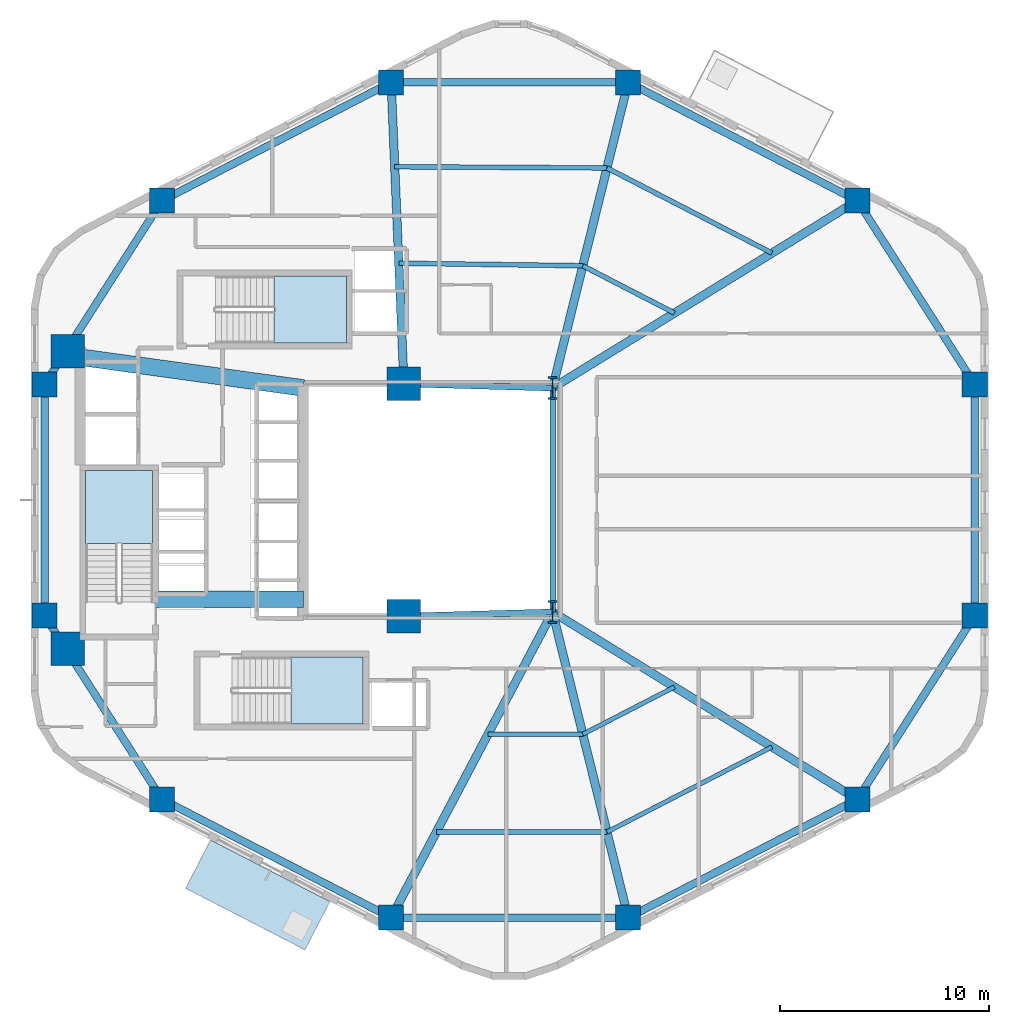
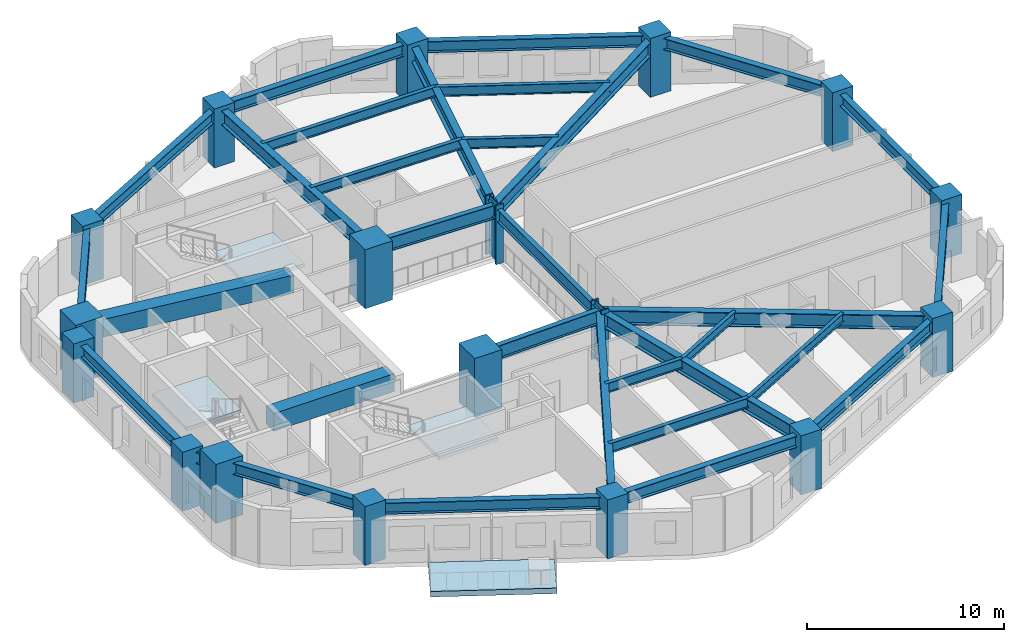
# One storey, part 1 of 8: 31 beams, 18 columns, 4 slabs, 3 elements without a shape of their own.
"""IFC4 building model written with IfcOpenShell, lengths in metres."""

from ifc_helpers import new_model, si_unit, direction, frame, origin, origin_2d, place, context, subcontext, project, spatial, polyline, rectangle, i_section, outline, extrude, material, layer, layer_set, material_profile, profile_set, type_object, element, aggregate, save


model = new_model("IFC4")

# Units and contexts
model_context = context("Model", 3, precision=1e-05, world=origin(), true_north=direction((0.0, 1.0)))
body_context = subcontext(model_context, "Body", "Model", "MODEL_VIEW")
ifc_project = project(units=[si_unit("LENGTHUNIT", "METRE"), si_unit("AREAUNIT", "SQUARE_METRE"), si_unit("VOLUMEUNIT", "CUBIC_METRE"), si_unit("PLANEANGLEUNIT", "RADIAN"), si_unit("MASSUNIT", "GRAM", prefix="KILO"), si_unit("THERMODYNAMICTEMPERATUREUNIT", "KELVIN"), si_unit("POWERUNIT", "WATT")], contexts=[model_context])

# Site, building, storey
site_placement = place(None, origin())
site = spatial("IfcSite", under=ifc_project, at=site_placement, CompositionType="ELEMENT")
building_placement = place(site_placement, origin())
building = spatial("IfcBuilding", under=site, at=building_placement, Name="Skarre Station Tower", CompositionType="ELEMENT")
storey_placement = place(building_placement, frame((0.0, 0.0, 81.75)))
storey = spatial("IfcBuildingStorey", under=building, at=storey_placement, Name="L21", CompositionType="ELEMENT", Elevation=81.75)

# Columns
ifc_material_1 = material(Name="Concrete C60/75", Category="concrete")
ifc_material_profile_1 = material_profile(ifc_material_1, rectangle(XDim=1.199951171875, YDim=1.199951171875, at=origin_2d()), Name="Concrete C60/75")
ifc_profile_set_1 = profile_set([ifc_material_profile_1], Name="Concrete C60/75")
column_type_1 = type_object("IfcColumnType", Name="RC Structural Column RC-COL-1200X1200", PredefinedType="COLUMN", material=ifc_profile_set_1)
for number, where, z_axis, x_axis, name in (
    (1, (54.007080078125, 38.298095703125, 0.0), (0.0, 0.0, 1.0), (1.0, 0.0, 0.0), "L21 Zone 1 Perimeter Column F0C1"),
    (2, (43.06005859375, 43.947021484375, 0.0), (0.0, 0.0, 1.0), (1.0, 0.0, 0.0), "L21 Zone 1 Perimeter Column F0C2"),
    (3, (31.739990234375, 43.947021484375, 0.0), (0.0, 0.0, 1.0), (1.0, 0.0, 0.0), "L21 Zone 1 Perimeter Column F1C1"),
    (4, (20.79296875, 38.298095703125, 0.0), (0.0, 0.0, 1.0), (1.0, 0.0, 0.0), "L21 Zone 1 Perimeter Column F1C2"),
    (5, (15.18701171875, 29.52099609375, 0.0), (0.0, 0.0, 1.0), (1.0, 0.0, 0.0), "L21 Zone 1 Perimeter Column F2C1"),
    (6, (15.18701171875, 18.47900390625, 0.0), (0.0, 0.0, 1.0), (1.0, 0.0, 0.0), "L21 Zone 1 Perimeter Column F2C2"),
    (7, (20.79296875, 9.701904296875, 0.0), (0.0, 0.0, 1.0), (1.0, 0.0, 0.0), "L21 Zone 1 Perimeter Column F3C1"),
    (8, (31.739990234375, 4.052978515625, 0.0), (0.0, 0.0, 1.0), (1.0, 0.0, 0.0), "L21 Zone 1 Perimeter Column F3C2"),
    (9, (43.06005859375, 4.052978515625, 0.0), (0.0, 0.0, 1.0), (1.0, 0.0, 0.0), "L21 Zone 1 Perimeter Column F4C1"),
    (10, (54.007080078125, 9.701904296875, 0.0), (0.0, 0.0, 1.0), (1.0, 0.0, 0.0), "L21 Zone 1 Perimeter Column F4C2"),
    (11, (59.613037109375, 18.47900390625, 0.0), (0.0, 0.0, 1.0), (1.0, 0.0, 0.0), "L21 Zone 1 Perimeter Column F5C1"),
    (12, (59.613037109375, 29.52099609375, 0.0), (0.0, 0.0, 1.0), (1.0, 0.0, 0.0), "L21 Zone 1 Perimeter Column F5C2"),
):
    element("IfcColumn", number, at=place(storey_placement, frame(where, z_axis=z_axis, x_axis=x_axis)), inside=storey, type_object=column_type_1, Name=name, PredefinedType="COLUMN", context=body_context, shape_type="SweptSolid", body=[
        extrude(rectangle(XDim=1.199951171875, YDim=1.199951171875, at=origin_2d()), origin(), (0.0, 0.0, 1.0), 3.64990234375),
    ])
ifc_material_2 = material(Name="Concrete C70/85", Category="concrete")
ifc_material_profile_2 = material_profile(ifc_material_2, rectangle(XDim=1.60009765625, YDim=1.60009765625, at=origin_2d()), Name="Concrete C70/85")
ifc_profile_set_2 = profile_set([ifc_material_profile_2], Name="Concrete C70/85")
column_type_2 = type_object("IfcColumnType", Name="RC Structural Column RC-COL-1600X1600", PredefinedType="COLUMN", material=ifc_profile_set_2)
for number, where, z_axis, x_axis, name in (
    (13, (16.300048828125, 16.89990234375, 0.0), (0.0, 0.0, 1.0), (1.0, 0.0, 0.0), "L21 Core Column CC-SW"),
    (14, (16.300048828125, 31.10009765625, 0.0), (0.0, 0.0, 1.0), (1.0, 0.0, 0.0), "L21 Core Column CC-NW"),
    (15, (32.35009765625, 18.449951171875, 0.0), (0.0, 0.0, 1.0), (1.0, 0.0, 0.0), "L21 Core Column CC-SE"),
    (16, (32.35009765625, 29.550048828125, 0.0), (0.0, 0.0, 1.0), (1.0, 0.0, 0.0), "L21 Core Column CC-NE"),
):
    element("IfcColumn", number, at=place(storey_placement, frame(where, z_axis=z_axis, x_axis=x_axis)), inside=storey, type_object=column_type_2, Name=name, PredefinedType="COLUMN", context=body_context, shape_type="SweptSolid", body=[
        extrude(rectangle(XDim=1.60009765625, YDim=1.60009765625, at=origin_2d()), origin(), (0.0, 0.0, 1.0), 3.64990234375),
    ])
ifc_material_3 = material(Name="Steel ASTM A913 Grade 65", Category="steel")
ifc_material_profile_3 = material_profile(ifc_material_3, i_section(OverallWidth=0.424072265625, OverallDepth=1.092041015625, WebThickness=0.044921875, FlangeThickness=0.08203125, at=origin_2d()), Name="Steel ASTM A913 Grade 65")
ifc_profile_set_3 = profile_set([ifc_material_profile_3], Name="Steel ASTM A913 Grade 65")
column_type_3 = type_object("IfcColumnType", Name="Steel Column W40X593", PredefinedType="COLUMN", material=ifc_profile_set_3)
for number, where, z_axis, x_axis, name in (
    (17, (39.449951171875, 18.64990234375, 0.0), (0.0, 0.0, 1.0), (1.0, 0.0, 0.0), "L21 Atrium Spine Column AC-SE"),
    (18, (39.449951171875, 29.35009765625, 0.0), (0.0, 0.0, 1.0), (1.0, 0.0, 0.0), "L21 Atrium Spine Column AC-NE"),
):
    element("IfcColumn", number, at=place(storey_placement, frame(where, z_axis=z_axis, x_axis=x_axis)), inside=storey, type_object=column_type_3, Name=name, PredefinedType="COLUMN", context=body_context, shape_type="SweptSolid", body=[
        extrude(i_section(OverallWidth=0.424072265625, OverallDepth=1.092041015625, WebThickness=0.044921875, FlangeThickness=0.08203125, at=origin_2d()), origin(), (0.0, 0.0, 1.0), 3.64990234375),
    ])

# Beams
ifc_material_profile_4 = material_profile(ifc_material_2, rectangle(XDim=0.800048828125, YDim=1.10009765625, at=origin_2d()), Name="Concrete C70/85")
ifc_profile_set_4 = profile_set([ifc_material_profile_4], Name="Concrete C70/85")
beam_type_1 = type_object("IfcBeamType", Name="RC Core Coupling Lintel 800x1100", PredefinedType="LINTEL", material=ifc_profile_set_4)
beam_1_placement = place(storey_placement, frame((20.489990234375, 19.260009765625, 2.840087890625), z_axis=(1.0, 0.0, 0.0), x_axis=(0.0, 1.0, 0.0)))
element("IfcBeam", 19, at=beam_1_placement, inside=storey, type_object=beam_type_1, Name="L21 South Core Coupling Lintel", PredefinedType="LINTEL", context=body_context, shape_type="SweptSolid", body=[
    extrude(rectangle(XDim=0.800048828125, YDim=1.10009765625, at=origin_2d()), origin(), (0.0, 0.0, 1.0), 7.06005859375),
])
beam_2_placement = place(storey_placement, frame((17.050048828125, 30.800048828125, 2.840087890625), z_axis=(0.990599723633, -0.136792498109, 0.0), x_axis=(0.136792498109, 0.990599723633, 0.0)))
element("IfcBeam", 20, at=beam_2_placement, inside=storey, type_object=beam_type_1, Name="L21 North Core Coupling Lintel", PredefinedType="LINTEL", context=body_context, shape_type="SweptSolid", body=[
    extrude(rectangle(XDim=0.800048828125, YDim=1.10009765625, at=origin_2d()), origin(), (0.0, 0.0, 1.0), 10.599609375),
])
ifc_material_4 = material(Name="Steel ASTM A992 Grade 50", Category="steel")
ifc_material_profile_5 = material_profile(ifc_material_4, i_section(OverallWidth=0.26806640625, OverallDepth=0.77001953125, WebThickness=0.01611328125, FlangeThickness=0.02490234375, at=origin_2d()), Name="Steel ASTM A992 Grade 50")
ifc_profile_set_5 = profile_set([ifc_material_profile_5], Name="Steel ASTM A992 Grade 50")
beam_type_2 = type_object("IfcBeamType", Name="Steel Beam W30X132", PredefinedType="BEAM", material=ifc_profile_set_5)
beam_3_placement = place(storey_placement, frame((39.449951171875, 18.64990234375, 3.0048828125), z_axis=(0.0, 1.0, 0.0), x_axis=(-1.0, 0.0, 0.0)))
element("IfcBeam", 21, at=beam_3_placement, inside=storey, type_object=beam_type_2, Name="L21 Atrium East Edge Girder", PredefinedType="BEAM", context=body_context, shape_type="SweptSolid", body=[
    extrude(i_section(OverallWidth=0.26806640625, OverallDepth=0.77001953125, WebThickness=0.01611328125, FlangeThickness=0.02490234375, at=origin_2d()), origin(), (0.0, 0.0, 1.0), 10.7001953125),
])
ifc_material_profile_6 = material_profile(ifc_material_4, i_section(OverallWidth=0.2919921875, OverallDepth=0.85888671875, WebThickness=0.01708984375, FlangeThickness=0.031005859375, at=origin_2d()), Name="Steel ASTM A992 Grade 50")
ifc_profile_set_6 = profile_set([ifc_material_profile_6], Name="Steel ASTM A992 Grade 50")
beam_type_3 = type_object("IfcBeamType", Name="Steel Beam W33X169", PredefinedType="BEAM", material=ifc_profile_set_6)
for number, where, z_axis, x_axis, name in (
    (22, (32.35009765625, 18.449951171875, 2.9599609375), (0.999603666405, 0.028151556095, 0.0), (-0.028151556095, 0.999603666405, 0.0), "L21 Atrium South Edge Girder"),
    (23, (32.35009765625, 29.550048828125, 2.9599609375), (0.999603666405, -0.028151556095, 0.0), (0.028151556095, 0.999603666405, 0.0), "L21 Atrium North Edge Girder"),
):
    element("IfcBeam", number, at=place(storey_placement, frame(where, z_axis=z_axis, x_axis=x_axis)), inside=storey, type_object=beam_type_3, Name=name, PredefinedType="BEAM", context=body_context, shape_type="SweptSolid", body=[
        extrude(i_section(OverallWidth=0.2919921875, OverallDepth=0.85888671875, WebThickness=0.01708984375, FlangeThickness=0.031005859375, at=origin_2d()), origin(), (0.0, 0.0, 1.0), 7.102783203125),
    ])
ifc_material_profile_7 = material_profile(ifc_material_4, i_section(OverallWidth=0.40087890625, OverallDepth=0.876953125, WebThickness=0.02197265625, FlangeThickness=0.0400390625, at=origin_2d()), Name="Steel ASTM A992 Grade 50")
ifc_profile_set_7 = profile_set([ifc_material_profile_7], Name="Steel ASTM A992 Grade 50")
beam_type_4 = type_object("IfcBeamType", Name="Steel Beam W33X263", PredefinedType="BEAM", material=ifc_profile_set_7)
beam_4_placement = place(storey_placement, frame((39.449951171875, 29.35009765625, 2.950927734375), z_axis=(0.851925565957, 0.523662897358, 0.0), x_axis=(-0.523662897358, 0.851925565957, 0.0)))
element("IfcBeam", 24, at=beam_4_placement, inside=storey, type_object=beam_type_4, Name="L21 Radial Floor Girder F0C1", PredefinedType="BEAM", context=body_context, shape_type="SweptSolid", body=[
    extrude(i_section(OverallWidth=0.40087890625, OverallDepth=0.876953125, WebThickness=0.02197265625, FlangeThickness=0.0400390625, at=origin_2d()), origin(), (0.0, 0.0, 1.0), 17.08740234375),
])
beam_5_placement = place(storey_placement, frame((39.449951171875, 29.35009765625, 2.950927734375), z_axis=(0.240086037639, 0.9707516132, 0.0), x_axis=(-0.9707516132, 0.240086037639, 0.0)))
element("IfcBeam", 25, at=beam_5_placement, inside=storey, type_object=beam_type_4, Name="L21 Radial Floor Girder F0C2", PredefinedType="BEAM", context=body_context, shape_type="SweptSolid", body=[
    extrude(i_section(OverallWidth=0.40087890625, OverallDepth=0.876953125, WebThickness=0.02197265625, FlangeThickness=0.0400390625, at=origin_2d()), origin(), (0.0, 0.0, 1.0), 15.03662109375),
])
beam_6_placement = place(storey_placement, frame((32.35009765625, 29.550048828125, 2.950927734375), z_axis=(-0.042339479433, 0.999103282189, 0.0), x_axis=(-0.999103282189, -0.042339479433, 0.0)))
element("IfcBeam", 26, at=beam_6_placement, inside=storey, type_object=beam_type_4, Name="L21 Radial Floor Girder F1C1", PredefinedType="BEAM", context=body_context, shape_type="SweptSolid", body=[
    extrude(i_section(OverallWidth=0.40087890625, OverallDepth=0.876953125, WebThickness=0.02197265625, FlangeThickness=0.0400390625, at=origin_2d()), origin(), (0.0, 0.0, 1.0), 14.409912109375),
])
beam_7_placement = place(storey_placement, frame((39.449951171875, 18.64990234375, 2.950927734375), z_axis=(-0.467044240884, -0.884233949279, 0.0), x_axis=(0.884233949279, -0.467044240884, 0.0)))
element("IfcBeam", 27, at=beam_7_placement, inside=storey, type_object=beam_type_4, Name="L21 Radial Floor Girder F3C2", PredefinedType="BEAM", context=body_context, shape_type="SweptSolid", body=[
    extrude(i_section(OverallWidth=0.40087890625, OverallDepth=0.876953125, WebThickness=0.02197265625, FlangeThickness=0.0400390625, at=origin_2d()), origin(), (0.0, 0.0, 1.0), 16.508056640625),
])
beam_8_placement = place(storey_placement, frame((39.449951171875, 18.64990234375, 2.950927734375), z_axis=(0.240086037639, -0.9707516132, 0.0), x_axis=(0.9707516132, 0.240086037639, 0.0)))
element("IfcBeam", 28, at=beam_8_placement, inside=storey, type_object=beam_type_4, Name="L21 Radial Floor Girder F4C1", PredefinedType="BEAM", context=body_context, shape_type="SweptSolid", body=[
    extrude(i_section(OverallWidth=0.40087890625, OverallDepth=0.876953125, WebThickness=0.02197265625, FlangeThickness=0.0400390625, at=origin_2d()), origin(), (0.0, 0.0, 1.0), 15.03662109375),
])
beam_9_placement = place(storey_placement, frame((39.449951171875, 18.64990234375, 2.950927734375), z_axis=(0.851925565957, -0.523662897358, 0.0), x_axis=(0.523662897358, 0.851925565957, 0.0)))
element("IfcBeam", 29, at=beam_9_placement, inside=storey, type_object=beam_type_4, Name="L21 Radial Floor Girder F4C2", PredefinedType="BEAM", context=body_context, shape_type="SweptSolid", body=[
    extrude(i_section(OverallWidth=0.40087890625, OverallDepth=0.876953125, WebThickness=0.02197265625, FlangeThickness=0.0400390625, at=origin_2d()), origin(), (0.0, 0.0, 1.0), 17.08740234375),
])
ifc_material_profile_8 = material_profile(ifc_material_4, i_section(OverallWidth=0.208984375, OverallDepth=0.532958984375, WebThickness=0.010009765625, FlangeThickness=0.01611328125, at=origin_2d()), Name="Steel ASTM A992 Grade 50")
ifc_profile_set_8 = profile_set([ifc_material_profile_8], Name="Steel ASTM A992 Grade 50")
beam_type_5 = type_object("IfcBeamType", Name="Steel Joist W21X62", PredefinedType="JOIST", material=ifc_profile_set_8)
beam_10_placement = place(storey_placement, frame((40.89404296875, 12.81103515625, 3.1240234375), z_axis=(0.888626519249, 0.458631561591, 0.0), x_axis=(-0.458631561591, 0.888626519249, 0.0)))
element("IfcBeam", 30, at=beam_10_placement, inside=storey, type_object=beam_type_5, Name="L21 Auxiliary Composite Joist 7", PredefinedType="JOIST", context=body_context, shape_type="SweptSolid", body=[
    extrude(i_section(OverallWidth=0.208984375, OverallDepth=0.532958984375, WebThickness=0.010009765625, FlangeThickness=0.01611328125, at=origin_2d()), origin(), (0.0, 0.0, 1.0), 4.927734375),
])
beam_11_placement = place(storey_placement, frame((42.049072265625, 8.139892578125, 3.1240234375), z_axis=(0.88866227096, 0.458562283853, 0.0), x_axis=(-0.458562283853, 0.88866227096, 0.0)))
element("IfcBeam", 31, at=beam_11_placement, inside=storey, type_object=beam_type_5, Name="L21 Auxiliary Composite Joist 8", PredefinedType="JOIST", context=body_context, shape_type="SweptSolid", body=[
    extrude(i_section(OverallWidth=0.208984375, OverallDepth=0.532958984375, WebThickness=0.010009765625, FlangeThickness=0.01611328125, at=origin_2d()), origin(), (0.0, 0.0, 1.0), 8.869384765625),
])
ifc_material_profile_9 = material_profile(ifc_material_4, i_section(OverallWidth=0.22802734375, OverallDepth=0.60791015625, WebThickness=0.010986328125, FlangeThickness=0.01708984375, at=origin_2d()), Name="Steel ASTM A992 Grade 50")
ifc_profile_set_9 = profile_set([ifc_material_profile_9], Name="Steel ASTM A992 Grade 50")
beam_type_6 = type_object("IfcBeamType", Name="Steel Joist W24X76", PredefinedType="JOIST", material=ifc_profile_set_9)
beam_12_placement = place(storey_placement, frame((45.27294921875, 32.928955078125, 3.0859375), z_axis=(-0.888626519249, 0.458631561591, 0.0), x_axis=(-0.458631561591, -0.888626519249, 0.0)))
element("IfcBeam", 32, at=beam_12_placement, inside=storey, type_object=beam_type_6, Name="L21 Secondary Floor Joist 1", PredefinedType="JOIST", context=body_context, shape_type="SweptSolid", body=[
    extrude(i_section(OverallWidth=0.22802734375, OverallDepth=0.60791015625, WebThickness=0.010986328125, FlangeThickness=0.01708984375, at=origin_2d()), origin(), (0.0, 0.0, 1.0), 4.927734375),
])
beam_13_placement = place(storey_placement, frame((49.930908203125, 35.79296875, 3.0859375), z_axis=(-0.88866227096, 0.458562283853, 0.0), x_axis=(-0.458562283853, -0.88866227096, 0.0)))
element("IfcBeam", 33, at=beam_13_placement, inside=storey, type_object=beam_type_6, Name="L21 Secondary Floor Joist 2", PredefinedType="JOIST", context=body_context, shape_type="SweptSolid", body=[
    extrude(i_section(OverallWidth=0.22802734375, OverallDepth=0.60791015625, WebThickness=0.010986328125, FlangeThickness=0.01708984375, at=origin_2d()), origin(), (0.0, 0.0, 1.0), 8.869384765625),
])
beam_14_placement = place(storey_placement, frame((40.89404296875, 35.18896484375, 3.0859375), z_axis=(-0.999906603441, 0.013666908792, 0.0), x_axis=(-0.013666908792, -0.999906603441, 0.0)))
element("IfcBeam", 34, at=beam_14_placement, inside=storey, type_object=beam_type_6, Name="L21 Secondary Floor Joist 3", PredefinedType="JOIST", context=body_context, shape_type="SweptSolid", body=[
    extrude(i_section(OverallWidth=0.22802734375, OverallDepth=0.60791015625, WebThickness=0.010986328125, FlangeThickness=0.01708984375, at=origin_2d()), origin(), (0.0, 0.0, 1.0), 8.788818359375),
])
beam_15_placement = place(storey_placement, frame((42.049072265625, 39.860107421875, 3.0859375), z_axis=(-0.999984794845, 0.005514533498, 0.0), x_axis=(-0.005514533498, -0.999984794845, 0.0)))
element("IfcBeam", 35, at=beam_15_placement, inside=storey, type_object=beam_type_6, Name="L21 Secondary Floor Joist 4", PredefinedType="JOIST", context=body_context, shape_type="SweptSolid", body=[
    extrude(i_section(OverallWidth=0.22802734375, OverallDepth=0.60791015625, WebThickness=0.010986328125, FlangeThickness=0.01708984375, at=origin_2d()), origin(), (0.0, 0.0, 1.0), 10.138427734375),
])
beam_16_placement = place(storey_placement, frame((36.365966796875, 12.81103515625, 3.0859375), z_axis=(1.0, 0.0, 0.0), x_axis=(0.0, 1.0, 0.0)))
element("IfcBeam", 36, at=beam_16_placement, inside=storey, type_object=beam_type_6, Name="L21 Secondary Floor Joist 5", PredefinedType="JOIST", context=body_context, shape_type="SweptSolid", body=[
    extrude(i_section(OverallWidth=0.22802734375, OverallDepth=0.60791015625, WebThickness=0.010986328125, FlangeThickness=0.01708984375, at=origin_2d()), origin(), (0.0, 0.0, 1.0), 4.528076171875),
])
beam_17_placement = place(storey_placement, frame((33.89892578125, 8.139892578125, 3.0859375), z_axis=(1.0, 0.0, 0.0), x_axis=(0.0, 1.0, 0.0)))
element("IfcBeam", 37, at=beam_17_placement, inside=storey, type_object=beam_type_6, Name="L21 Secondary Floor Joist 6", PredefinedType="JOIST", context=body_context, shape_type="SweptSolid", body=[
    extrude(i_section(OverallWidth=0.22802734375, OverallDepth=0.60791015625, WebThickness=0.010986328125, FlangeThickness=0.01708984375, at=origin_2d()), origin(), (0.0, 0.0, 1.0), 8.150146484375),
])
ifc_material_profile_10 = material_profile(ifc_material_4, i_section(OverallWidth=0.35791015625, OverallDepth=0.7060546875, WebThickness=0.01806640625, FlangeThickness=0.030029296875, at=origin_2d()), Name="Steel ASTM A992 Grade 50")
ifc_profile_set_10 = profile_set([ifc_material_profile_10], Name="Steel ASTM A992 Grade 50")
beam_type_7 = type_object("IfcBeamType", Name="Steel Spandrel W27X178", PredefinedType="SPANDREL", material=ifc_profile_set_10)
beam_18_placement = place(storey_placement, frame((54.007080078125, 38.298095703125, 3.037109375), z_axis=(-0.888658695823, 0.458569212158, 0.0), x_axis=(-0.458569212158, -0.888658695823, 0.0)))
element("IfcBeam", 38, at=beam_18_placement, inside=storey, type_object=beam_type_7, Name="L21 Facet Spandrel Beam 1", PredefinedType="SPANDREL", context=body_context, shape_type="SweptSolid", body=[
    extrude(i_section(OverallWidth=0.35791015625, OverallDepth=0.7060546875, WebThickness=0.01806640625, FlangeThickness=0.030029296875, at=origin_2d()), origin(), (0.0, 0.0, 1.0), 12.318603515625),
])
beam_19_placement = place(storey_placement, frame((43.06005859375, 43.947021484375, 3.037109375), z_axis=(-1.0, 0.0, 0.0), x_axis=(0.0, -1.0, 0.0)))
element("IfcBeam", 39, at=beam_19_placement, inside=storey, type_object=beam_type_7, Name="L21 Facet Spandrel Beam 2", PredefinedType="SPANDREL", context=body_context, shape_type="SweptSolid", body=[
    extrude(i_section(OverallWidth=0.35791015625, OverallDepth=0.7060546875, WebThickness=0.01806640625, FlangeThickness=0.030029296875, at=origin_2d()), origin(), (0.0, 0.0, 1.0), 11.320068359375),
])
beam_20_placement = place(storey_placement, frame((31.739990234375, 43.947021484375, 3.037109375), z_axis=(-0.888658695823, -0.458569212158, 0.0), x_axis=(0.458569212158, -0.888658695823, 0.0)))
element("IfcBeam", 40, at=beam_20_placement, inside=storey, type_object=beam_type_7, Name="L21 Facet Spandrel Beam 3", PredefinedType="SPANDREL", context=body_context, shape_type="SweptSolid", body=[
    extrude(i_section(OverallWidth=0.35791015625, OverallDepth=0.7060546875, WebThickness=0.01806640625, FlangeThickness=0.030029296875, at=origin_2d()), origin(), (0.0, 0.0, 1.0), 12.318603515625),
])
beam_21_placement = place(storey_placement, frame((20.79296875, 38.298095703125, 3.037109375), z_axis=(-0.538277829225, -0.842767452246, 0.0), x_axis=(0.842767452246, -0.538277829225, 0.0)))
element("IfcBeam", 41, at=beam_21_placement, inside=storey, type_object=beam_type_7, Name="L21 Facet Spandrel Beam 4", PredefinedType="SPANDREL", context=body_context, shape_type="SweptSolid", body=[
    extrude(i_section(OverallWidth=0.35791015625, OverallDepth=0.7060546875, WebThickness=0.01806640625, FlangeThickness=0.030029296875, at=origin_2d()), origin(), (0.0, 0.0, 1.0), 10.41455078125),
])
beam_22_placement = place(storey_placement, frame((15.18701171875, 29.52099609375, 3.037109375), z_axis=(0.0, -1.0, 0.0), x_axis=(1.0, 0.0, 0.0)))
element("IfcBeam", 42, at=beam_22_placement, inside=storey, type_object=beam_type_7, Name="L21 Facet Spandrel Beam 5", PredefinedType="SPANDREL", context=body_context, shape_type="SweptSolid", body=[
    extrude(i_section(OverallWidth=0.35791015625, OverallDepth=0.7060546875, WebThickness=0.01806640625, FlangeThickness=0.030029296875, at=origin_2d()), origin(), (0.0, 0.0, 1.0), 11.0419921875),
])
beam_23_placement = place(storey_placement, frame((15.18701171875, 18.47900390625, 3.037109375), z_axis=(0.538277829225, -0.842767452246, 0.0), x_axis=(0.842767452246, 0.538277829225, 0.0)))
element("IfcBeam", 43, at=beam_23_placement, inside=storey, type_object=beam_type_7, Name="L21 Facet Spandrel Beam 6", PredefinedType="SPANDREL", context=body_context, shape_type="SweptSolid", body=[
    extrude(i_section(OverallWidth=0.35791015625, OverallDepth=0.7060546875, WebThickness=0.01806640625, FlangeThickness=0.030029296875, at=origin_2d()), origin(), (0.0, 0.0, 1.0), 10.41455078125),
])
beam_24_placement = place(storey_placement, frame((20.79296875, 9.701904296875, 3.037109375), z_axis=(0.888658695823, -0.458569212158, 0.0), x_axis=(0.458569212158, 0.888658695823, 0.0)))
element("IfcBeam", 44, at=beam_24_placement, inside=storey, type_object=beam_type_7, Name="L21 Facet Spandrel Beam 7", PredefinedType="SPANDREL", context=body_context, shape_type="SweptSolid", body=[
    extrude(i_section(OverallWidth=0.35791015625, OverallDepth=0.7060546875, WebThickness=0.01806640625, FlangeThickness=0.030029296875, at=origin_2d()), origin(), (0.0, 0.0, 1.0), 12.318603515625),
])
beam_25_placement = place(storey_placement, frame((31.739990234375, 4.052978515625, 3.037109375), z_axis=(1.0, 0.0, 0.0), x_axis=(0.0, 1.0, 0.0)))
element("IfcBeam", 45, at=beam_25_placement, inside=storey, type_object=beam_type_7, Name="L21 Facet Spandrel Beam 8", PredefinedType="SPANDREL", context=body_context, shape_type="SweptSolid", body=[
    extrude(i_section(OverallWidth=0.35791015625, OverallDepth=0.7060546875, WebThickness=0.01806640625, FlangeThickness=0.030029296875, at=origin_2d()), origin(), (0.0, 0.0, 1.0), 11.320068359375),
])
beam_26_placement = place(storey_placement, frame((43.06005859375, 4.052978515625, 3.037109375), z_axis=(0.888658695823, 0.458569212158, 0.0), x_axis=(-0.458569212158, 0.888658695823, 0.0)))
element("IfcBeam", 46, at=beam_26_placement, inside=storey, type_object=beam_type_7, Name="L21 Facet Spandrel Beam 9", PredefinedType="SPANDREL", context=body_context, shape_type="SweptSolid", body=[
    extrude(i_section(OverallWidth=0.35791015625, OverallDepth=0.7060546875, WebThickness=0.01806640625, FlangeThickness=0.030029296875, at=origin_2d()), origin(), (0.0, 0.0, 1.0), 12.318603515625),
])
beam_27_placement = place(storey_placement, frame((54.007080078125, 9.701904296875, 3.037109375), z_axis=(0.538277829225, 0.842767452246, 0.0), x_axis=(-0.842767452246, 0.538277829225, 0.0)))
element("IfcBeam", 47, at=beam_27_placement, inside=storey, type_object=beam_type_7, Name="L21 Facet Spandrel Beam 10", PredefinedType="SPANDREL", context=body_context, shape_type="SweptSolid", body=[
    extrude(i_section(OverallWidth=0.35791015625, OverallDepth=0.7060546875, WebThickness=0.01806640625, FlangeThickness=0.030029296875, at=origin_2d()), origin(), (0.0, 0.0, 1.0), 10.41455078125),
])
beam_28_placement = place(storey_placement, frame((59.613037109375, 18.47900390625, 3.037109375), z_axis=(0.0, 1.0, 0.0), x_axis=(-1.0, 0.0, 0.0)))
element("IfcBeam", 48, at=beam_28_placement, inside=storey, type_object=beam_type_7, Name="L21 Facet Spandrel Beam 11", PredefinedType="SPANDREL", context=body_context, shape_type="SweptSolid", body=[
    extrude(i_section(OverallWidth=0.35791015625, OverallDepth=0.7060546875, WebThickness=0.01806640625, FlangeThickness=0.030029296875, at=origin_2d()), origin(), (0.0, 0.0, 1.0), 11.0419921875),
])
beam_29_placement = place(storey_placement, frame((59.613037109375, 29.52099609375, 3.037109375), z_axis=(-0.538277829225, 0.842767452246, 0.0), x_axis=(-0.842767452246, -0.538277829225, 0.0)))
element("IfcBeam", 49, at=beam_29_placement, inside=storey, type_object=beam_type_7, Name="L21 Facet Spandrel Beam 12", PredefinedType="SPANDREL", context=body_context, shape_type="SweptSolid", body=[
    extrude(i_section(OverallWidth=0.35791015625, OverallDepth=0.7060546875, WebThickness=0.01806640625, FlangeThickness=0.030029296875, at=origin_2d()), origin(), (0.0, 0.0, 1.0), 10.41455078125),
])

# Slab
ifc_material_5 = material(Name="Precast concrete C50/60", Category="concrete")
ifc_layer_1 = layer(ifc_material_5, 0.340087890625, Name="Precast concrete C50/60")
ifc_layer_set_1 = layer_set([ifc_layer_1], Name="Precast concrete C50/60")
slab_type_1 = type_object("IfcSlabType", Name="Planted Tree-Balcony Cantilever Slab 340", PredefinedType="FLOOR", material=ifc_layer_set_1)
slab_1_placement = place(storey_placement, frame((0.0, 0.0, -0.340087890625)))
element("IfcSlab", 50, at=slab_1_placement, inside=storey, type_object=slab_type_1, Name="L21 Planted Tree-Balcony Deck TB-L21-F3", PredefinedType="FLOOR", context=body_context, shape_type="SweptSolid", body=[
    extrude(outline(polyline([(23.1201171875, 7.759033203125), (28.80810546875, 4.823974609375), (27.6201171875, 2.52197265625), (21.931884765625, 5.45703125), (23.1201171875, 7.759033203125)])), origin(), (0.0, 0.0, 1.0), 0.340087890625),
])

# Stair, slab
ifc_material_6 = material(Name="Concrete C40/50", Category="concrete")
stair_type_1 = type_object("IfcStairType", Name="Reinforced Concrete Exit Stair ST-1", PredefinedType="HALF_TURN_STAIR", material=ifc_material_6)
stair_1_placement = place(storey_placement, origin())
stair_1 = element("IfcStair", 51, at=stair_1_placement, inside=storey, type_object=stair_type_1, Name="L21 Core Exit Stair ST-1", PredefinedType="HALF_TURN_STAIR")
ifc_layer_2 = layer(ifc_material_6, 0.219970703125, Name="Concrete C40/50")
ifc_layer_set_2 = layer_set([ifc_layer_2], Name="Concrete C40/50")
slab_type_2 = type_object("IfcSlabType", Name="Reinforced Concrete Stair & Ramp Landing 220", PredefinedType="LANDING", material=ifc_layer_set_2)
slab_2_placement = place(storey_placement, frame((0.0, 0.0, 1.625)))
slab_2 = element("IfcSlab", 52, at=slab_2_placement, type_object=slab_type_2, Name="ST-1 landing 1", PredefinedType="LANDING", context=body_context, shape_type="SweptSolid", body=[
    extrude(outline(polyline([(20.35009765625, 21.919921875), (20.35009765625, 25.39990234375), (17.14990234375, 25.39990234375), (17.14990234375, 21.919921875), (20.35009765625, 21.919921875)])), origin(), (0.0, 0.0, 1.0), 0.199951171875),
])
aggregate(stair_1, [slab_2])

stair_type_2 = type_object("IfcStairType", Name="Reinforced Concrete Exit Stair ST-2", PredefinedType="HALF_TURN_STAIR", material=ifc_material_6)
stair_2_placement = place(storey_placement, origin())
stair_2 = element("IfcStair", 53, at=stair_2_placement, inside=storey, type_object=stair_type_2, Name="L21 Core Exit Stair ST-2", PredefinedType="HALF_TURN_STAIR")
slab_3_placement = place(storey_placement, frame((0.0, 0.0, 1.625)))
slab_3 = element("IfcSlab", 54, at=slab_3_placement, type_object=slab_type_2, Name="ST-2 landing 1", PredefinedType="LANDING", context=body_context, shape_type="SweptSolid", body=[
    extrude(outline(polyline([(26.949951171875, 13.300048828125), (30.39990234375, 13.300048828125), (30.39990234375, 16.5), (26.949951171875, 16.5), (26.949951171875, 13.300048828125)])), origin(), (0.0, 0.0, 1.0), 0.199951171875),
])
aggregate(stair_2, [slab_3])

stair_type_3 = type_object("IfcStairType", Name="Reinforced Concrete Exit Stair ST-3", PredefinedType="HALF_TURN_STAIR", material=ifc_material_6)
stair_3_placement = place(storey_placement, origin())
stair_3 = element("IfcStair", 55, at=stair_3_placement, inside=storey, type_object=stair_type_3, Name="L21 Core Exit Stair ST-3", PredefinedType="HALF_TURN_STAIR")
slab_4_placement = place(storey_placement, frame((0.0, 0.0, 1.625)))
slab_4 = element("IfcSlab", 56, at=slab_4_placement, type_object=slab_type_2, Name="ST-3 landing 1", PredefinedType="LANDING", context=body_context, shape_type="SweptSolid", body=[
    extrude(outline(polyline([(26.14990234375, 31.5), (29.60009765625, 31.5), (29.60009765625, 34.699951171875), (26.14990234375, 34.699951171875), (26.14990234375, 31.5)])), origin(), (0.0, 0.0, 1.0), 0.199951171875),
])
aggregate(stair_3, [slab_4])

save(model, "model.ifc")
